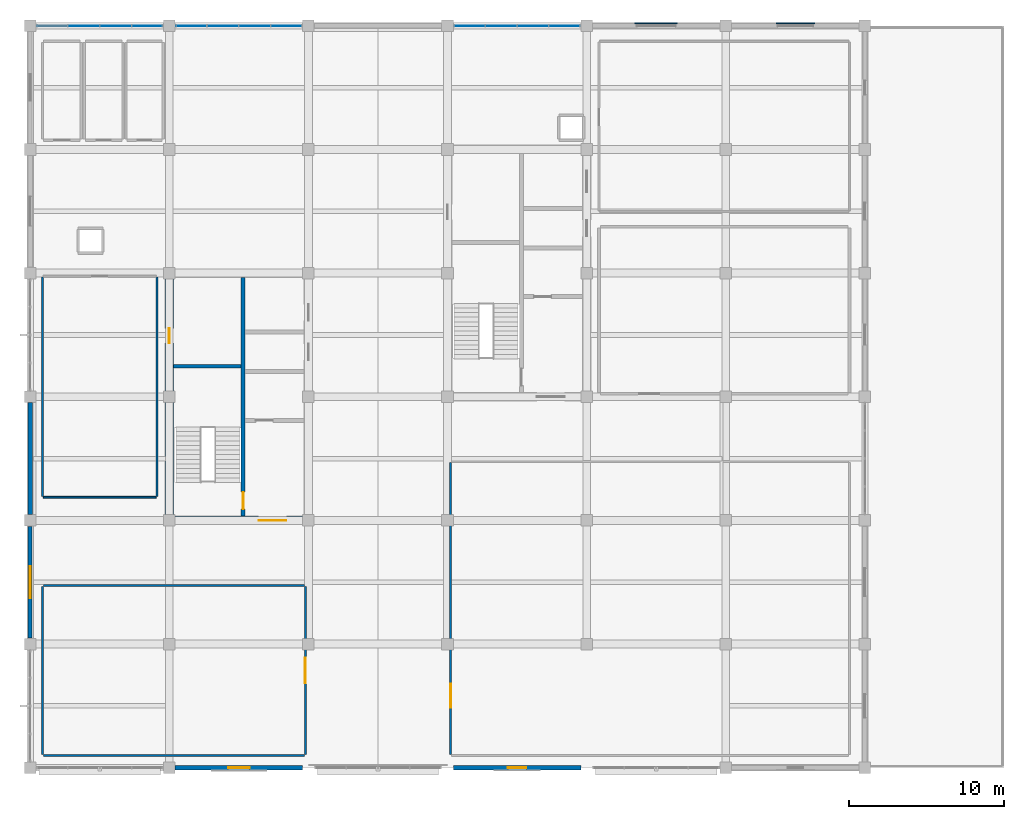
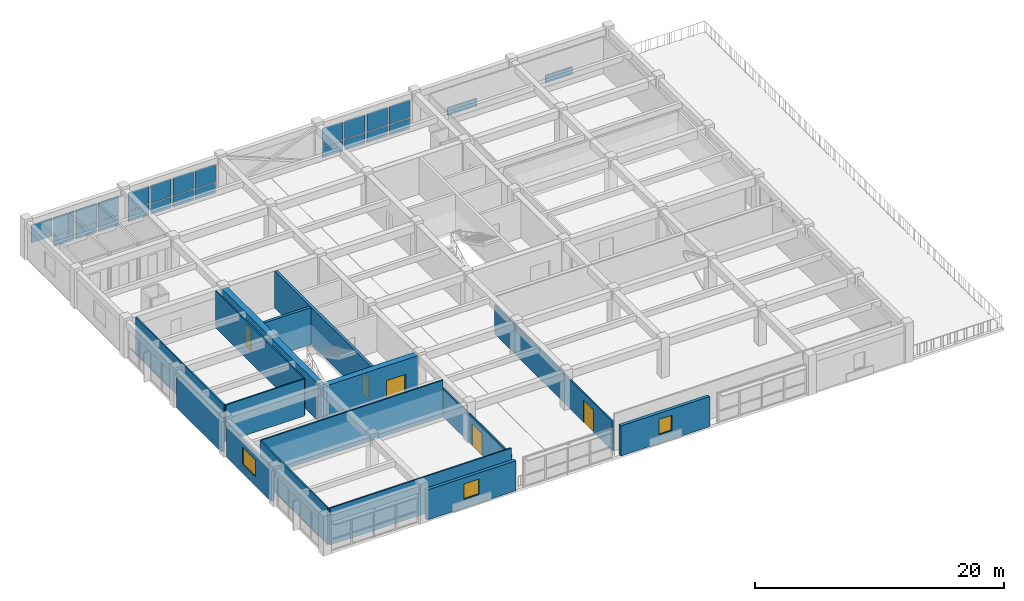
# One storey, part 11 of 15: 25 plates, 16 walls, 5 doors, 3 windows, 8 openings, 3 elements without a shape of their own.
"""IFC4 building model written with IfcOpenShell, lengths in metres."""

import ifcopenshell
import ifcopenshell.guid

model = None  # the IFC model being written
_history = None  # IfcOwnerHistory: only IFC2X3 demands one
_inside = {}  # id of a spatial element -> (the spatial element, [elements in it])
_under = {}  # id of a project, library or spatial element -> (it, [spatial elements below it])
_declared = {}  # id of a project -> (the project, [libraries it declares])
_typed = {}  # id of a type object -> (the type object, [elements of that type])
_made_of = {}  # id of a material, layer set ... -> (it, [elements and type objects made of it])


def new_model(schema):
    """Start an empty IFC model of exactly this schema.

    Asked for "IFC4X3", IfcOpenShell would pick the latest addendum, in which some entities
    have other attributes; the version numbers below select the first issue.
    IFC2X3 requires an IfcOwnerHistory on every rooted entity: one is made here for all.
    """
    global model, _history
    if schema == "IFC4X3":
        model = ifcopenshell.file(schema_version=(4, 3, 0, 0))
    else:
        model = ifcopenshell.file(schema=schema)
    _inside.clear()
    _under.clear()
    _declared.clear()
    _typed.clear()
    _made_of.clear()
    _history = None
    if model.schema == "IFC2X3":
        org = make("IfcOrganization", Name="unknown")
        user = make(
            "IfcPersonAndOrganization",
            ThePerson=make("IfcPerson", FamilyName="unknown"),
            TheOrganization=org,
        )
        app = make(
            "IfcApplication",
            ApplicationDeveloper=org,
            Version="unknown",
            ApplicationFullName="unknown",
            ApplicationIdentifier="unknown",
        )
        _history = make(
            "IfcOwnerHistory",
            OwningUser=user,
            OwningApplication=app,
            ChangeAction="ADDED",
            CreationDate=0,
        )
    return model


def make(cls, **values):
    """One entity of the class cls with the attributes given. An attribute that is None is left unset."""
    return model.create_entity(
        cls, **{name: value for name, value in values.items() if value is not None}
    )


def rooted(cls, **values):
    """An entity with a GlobalId (a new one), such as an element, a storey or a relation."""
    return make(cls, GlobalId=ifcopenshell.guid.new(), OwnerHistory=_history, **values)


def si_unit(unit_type, name, prefix=None):
    """IfcSIUnit, for example si_unit("LENGTHUNIT", "METRE", prefix="MILLI")."""
    return make("IfcSIUnit", UnitType=unit_type, Prefix=prefix, Name=name)


def assignment(units):
    """IfcUnitAssignment: the units of a project."""
    return None if units is None else make("IfcUnitAssignment", Units=units)


def point(xyz):
    """IfcCartesianPoint."""
    return None if xyz is None else make("IfcCartesianPoint", Coordinates=xyz)


def direction(xyz):
    """IfcDirection."""
    return None if xyz is None else make("IfcDirection", DirectionRatios=xyz)


def frame(location, z_axis=None, x_axis=None):
    """IfcAxis2Placement3D, a coordinate frame: its origin and axes. An axis left out is left unset."""
    return make(
        "IfcAxis2Placement3D",
        Location=point(location),
        Axis=direction(z_axis),
        RefDirection=direction(x_axis),
    )


def frame_2d(location, x_axis=None):
    """IfcAxis2Placement2D, a coordinate frame in the plane: its origin and x axis."""
    return make(
        "IfcAxis2Placement2D", Location=point(location), RefDirection=direction(x_axis)
    )


def origin():
    """The frame at (0, 0, 0) with its axes left unset."""
    return frame((0.0, 0.0, 0.0))


def place(relative_to, where):
    """IfcLocalPlacement: puts the frame where relative to a parent placement (None: the world)."""
    return make(
        "IfcLocalPlacement", PlacementRelTo=relative_to, RelativePlacement=where
    )


def context(
    kind, dimensions, precision=None, world=None, true_north=None, identifier=None
):
    """IfcGeometricRepresentationContext, for example the 3D "Model" context."""
    return make(
        "IfcGeometricRepresentationContext",
        ContextIdentifier=identifier,
        ContextType=kind,
        CoordinateSpaceDimension=dimensions,
        Precision=precision,
        WorldCoordinateSystem=world,
        TrueNorth=true_north,
    )


def subcontext(parent, identifier, kind, view, scale=None):
    """IfcGeometricRepresentationSubContext, for example "Body" below "Model"."""
    return make(
        "IfcGeometricRepresentationSubContext",
        ContextIdentifier=identifier,
        ContextType=kind,
        ParentContext=parent,
        TargetScale=scale,
        TargetView=view,
    )


def project(units=None, contexts=None):
    """IfcProject with its units and contexts."""
    return rooted(
        "IfcProject",
        Name="project",
        RepresentationContexts=contexts,
        UnitsInContext=assignment(units),
    )


def spatial(cls, under=None, at=None, **own):
    """A site, building, storey or space (cls), placed at a placement, below another one or the project."""
    s = rooted(cls, ObjectPlacement=at, **own)
    if under is not None:
        _under.setdefault(under.id(), (under, []))[1].append(s)
    return s


def profile(cls, at=None, kind="AREA", **sizes):
    """A parametric profile (cls). Its sizes go by their IFC names, for example OverallWidth=200.0."""
    return make(cls, ProfileType=kind, Position=at, **sizes)


def rectangle(**sizes):
    """IfcRectangleProfileDef."""
    return profile("IfcRectangleProfileDef", **sizes)


def extrude(swept, where, along, depth):
    """IfcExtrudedAreaSolid: the profile swept, set in the frame where, extruded along a direction by depth."""
    return make(
        "IfcExtrudedAreaSolid",
        SweptArea=swept,
        Position=where,
        ExtrudedDirection=direction(along),
        Depth=depth,
    )


def shape(context_of_items, identifier, shape_type, items):
    """IfcShapeRepresentation: the items that make up one representation, for example the "Body"."""
    return make(
        "IfcShapeRepresentation",
        ContextOfItems=context_of_items,
        RepresentationIdentifier=identifier,
        RepresentationType=shape_type,
        Items=items,
    )


def material(Name=None, Category=None):
    """IfcMaterial."""
    return make("IfcMaterial", Name=Name, Category=Category)


def layer(
    of_material, thickness, ventilated=None, Name=None, Category=None, Priority=None
):
    """IfcMaterialLayer: one layer of a wall or slab, of a material (None: an air gap)."""
    return make(
        "IfcMaterialLayer",
        Material=of_material,
        LayerThickness=thickness,
        IsVentilated=ventilated,
        Name=Name,
        Category=Category,
        Priority=Priority,
    )


def layer_set(layers, Name=None):
    """IfcMaterialLayerSet."""
    return make("IfcMaterialLayerSet", MaterialLayers=layers, LayerSetName=Name)


def made_of(thing, what):
    """Note that an element or type object is made of a material, layer set ...; save() writes the relation."""
    if what is not None:
        _made_of.setdefault(what.id(), (what, []))[1].append(thing)
    return thing


def type_object(cls, material=None, **own):
    """A type object (cls), such as IfcWallType, which elements share."""
    return made_of(rooted(cls, **own), material)


def element(
    cls,
    number,
    at=None,
    inside=None,
    cuts=None,
    type_object=None,
    material=None,
    context=None,
    identifier="Body",
    shape_type=None,
    held_by="IfcProductDefinitionShape",
    body=None,
    shapes=None,
    **own,
):
    """One element of the class cls, such as IfcWall. Its Tag is "e" and its number.

    at: its placement. inside: the storey or other place that contains it. cuts: it is an
    opening in that element (IfcRelVoidsElement). A single representation is given by context,
    identifier, shape_type and body (its items); several are given by shapes. held_by: the class
    of the entity that holds the representations. save() writes the other relations.
    """
    e = rooted(cls, Tag="e%d" % number, ObjectPlacement=at, **own)
    if body is not None:
        shapes = [shape(context, identifier, shape_type, body)]
    if shapes is not None:
        e.Representation = make(held_by, Representations=shapes)
    if inside is not None:
        _inside.setdefault(inside.id(), (inside, []))[1].append(e)
    if cuts is not None:
        rooted(
            "IfcRelVoidsElement", RelatingBuildingElement=cuts, RelatedOpeningElement=e
        )
    if type_object is not None:
        _typed.setdefault(type_object.id(), (type_object, []))[1].append(e)
    return made_of(e, material)


def fill(opening, filler):
    """IfcRelFillsElement: the door or window that sits in an opening."""
    return rooted(
        "IfcRelFillsElement",
        RelatingOpeningElement=opening,
        RelatedBuildingElement=filler,
    )


def aggregate(whole, parts):
    """IfcRelAggregates: a whole, such as a stair, and the parts it consists of."""
    return rooted("IfcRelAggregates", RelatingObject=whole, RelatedObjects=parts)


def save(model, path):
    """Write the relations noted so far, then the file.

    IfcRelAggregates (storeys below a building ...), IfcRelContainedInSpatialStructure (elements
    in a storey), IfcRelDefinesByType, IfcRelAssociatesMaterial and IfcRelDeclares: one each for
    every whole, place, type object, material and project.
    """
    for whole, parts in _under.values():
        aggregate(whole, parts)
    for where, things in _inside.values():
        rooted(
            "IfcRelContainedInSpatialStructure",
            RelatedElements=things,
            RelatingStructure=where,
        )
    for kind, things in _typed.values():
        rooted("IfcRelDefinesByType", RelatedObjects=things, RelatingType=kind)
    for what, things in _made_of.values():
        rooted("IfcRelAssociatesMaterial", RelatedObjects=things, RelatingMaterial=what)
    for by, libraries in _declared.values():
        rooted("IfcRelDeclares", RelatingContext=by, RelatedDefinitions=libraries)
    model.write(path)


model = new_model("IFC4")

# Units and contexts
model_context = context("Model", 3, precision=1e-05, world=origin(), true_north=direction((0.0, 1.0)))
body_context = subcontext(model_context, "Body", "Model", "MODEL_VIEW")
ifc_project = project(units=[si_unit("LENGTHUNIT", "METRE"), si_unit("AREAUNIT", "SQUARE_METRE"), si_unit("VOLUMEUNIT", "CUBIC_METRE"), si_unit("PLANEANGLEUNIT", "RADIAN"), si_unit("MASSUNIT", "GRAM", prefix="KILO")], contexts=[model_context])

# Site, building, storey
site_placement = place(None, origin())
site = spatial("IfcSite", under=ifc_project, at=site_placement, CompositionType="ELEMENT")
building_placement = place(site_placement, origin())
building = spatial("IfcBuilding", under=site, at=building_placement, Name="Zaverband Oceanarium and Marine Research Institute", CompositionType="ELEMENT")
storey_placement = place(building_placement, frame((0.0, 0.0, 45.300048828125)))
storey = spatial("IfcBuildingStorey", under=building, at=storey_placement, Name="L11", CompositionType="ELEMENT", Elevation=45.300048828125)

# Curtain wall, plates
ifc_material_1 = material(Name="Thermally broken anodized aluminium and solar-control glass", Category="aluminium")
curtain_wall_type = type_object("IfcCurtainWallType", Name="CW-UNIT-1800", PredefinedType="NOTDEFINED", material=ifc_material_1)
curtain_wall_1_placement = place(storey_placement, origin())
curtain_wall_1 = element("IfcCurtainWall", 1, at=curtain_wall_1_placement, inside=storey, type_object=curtain_wall_type, Name="Unitised glazed curtain wall CW-124", PredefinedType="NOTDEFINED")
ifc_material_2 = material(Name="Low-E double-glazed solar-control glass", Category="glass")
ifc_layer_1 = layer(ifc_material_2, 0.033935546875, Name="Low-E double-glazed solar-control glass")
ifc_layer_set_1 = layer_set([ifc_layer_1], Name="Low-E double-glazed solar-control glass")
plate_type_1 = type_object("IfcPlateType", Name="CWP-1820x1043", PredefinedType="CURTAIN_PANEL", material=ifc_layer_set_1)
plate_1_placement = place(storey_placement, frame((11.52001953125, 112.0, 0.050048828125), z_axis=(0.0, 0.0, 1.0), x_axis=(1.0, 0.0, 0.0)))
plate_1 = element("IfcPlate", 2, at=plate_1_placement, type_object=plate_type_1, Name="Glazed curtain wall panel CWP-1820x1043", PredefinedType="CURTAIN_PANEL", context=body_context, shape_type="SweptSolid", body=[
    extrude(rectangle(XDim=1.89990234375, YDim=0.033935546875, at=frame_2d((0.949951171875, 0.0))), origin(), (0.0, 0.0, 1.0), 1.031982421875),
])
plate_2_placement = place(storey_placement, frame((13.580078125, 112.0, 0.050048828125), z_axis=(0.0, 0.0, 1.0), x_axis=(1.0, 0.0, 0.0)))
plate_2 = element("IfcPlate", 3, at=plate_2_placement, type_object=plate_type_1, Name="Glazed curtain wall panel CWP-1820x1043", PredefinedType="CURTAIN_PANEL", context=body_context, shape_type="SweptSolid", body=[
    extrude(rectangle(XDim=1.89990234375, YDim=0.033935546875, at=frame_2d((0.949951171875, 0.0))), origin(), (0.0, 0.0, 1.0), 1.031982421875),
])
plate_3_placement = place(storey_placement, frame((15.639892578125, 112.0, 0.050048828125), z_axis=(0.0, 0.0, 1.0), x_axis=(1.0, 0.0, 0.0)))
plate_3 = element("IfcPlate", 4, at=plate_3_placement, type_object=plate_type_1, Name="Glazed curtain wall panel CWP-1820x1043", PredefinedType="CURTAIN_PANEL", context=body_context, shape_type="SweptSolid", body=[
    extrude(rectangle(XDim=1.900146484375, YDim=0.033935546875, at=frame_2d((0.9501953125, 0.0))), origin(), (0.0, 0.0, 1.0), 1.031982421875),
])

curtain_wall_2_placement = place(storey_placement, origin())
curtain_wall_2 = element("IfcCurtainWall", 5, at=curtain_wall_2_placement, inside=storey, type_object=curtain_wall_type, Name="Unitised glazed curtain wall CW-125", PredefinedType="NOTDEFINED")
plate_4_placement = place(storey_placement, frame((18.4599609375, 112.0, 0.050048828125), z_axis=(0.0, 0.0, 1.0), x_axis=(1.0, 0.0, 0.0)))
plate_4 = element("IfcPlate", 6, at=plate_4_placement, type_object=plate_type_1, Name="Glazed curtain wall panel CWP-1820x1043", PredefinedType="CURTAIN_PANEL", context=body_context, shape_type="SweptSolid", body=[
    extrude(rectangle(XDim=1.900146484375, YDim=0.033935546875, at=frame_2d((0.9501953125, 0.0))), origin(), (0.0, 0.0, 1.0), 1.031982421875),
])
plate_5_placement = place(storey_placement, frame((20.52001953125, 112.0, 0.050048828125), z_axis=(0.0, 0.0, 1.0), x_axis=(1.0, 0.0, 0.0)))
plate_5 = element("IfcPlate", 7, at=plate_5_placement, type_object=plate_type_1, Name="Glazed curtain wall panel CWP-1820x1043", PredefinedType="CURTAIN_PANEL", context=body_context, shape_type="SweptSolid", body=[
    extrude(rectangle(XDim=1.89990234375, YDim=0.033935546875, at=frame_2d((0.949951171875, 0.0))), origin(), (0.0, 0.0, 1.0), 1.031982421875),
])
plate_6_placement = place(storey_placement, frame((22.580078125, 112.0, 0.050048828125), z_axis=(0.0, 0.0, 1.0), x_axis=(1.0, 0.0, 0.0)))
plate_6 = element("IfcPlate", 8, at=plate_6_placement, type_object=plate_type_1, Name="Glazed curtain wall panel CWP-1820x1043", PredefinedType="CURTAIN_PANEL", context=body_context, shape_type="SweptSolid", body=[
    extrude(rectangle(XDim=1.89990234375, YDim=0.033935546875, at=frame_2d((0.949951171875, 0.0))), origin(), (0.0, 0.0, 1.0), 1.031982421875),
])
plate_7_placement = place(storey_placement, frame((24.639892578125, 112.0, 0.050048828125), z_axis=(0.0, 0.0, 1.0), x_axis=(1.0, 0.0, 0.0)))
plate_7 = element("IfcPlate", 9, at=plate_7_placement, type_object=plate_type_1, Name="Glazed curtain wall panel CWP-1820x1043", PredefinedType="CURTAIN_PANEL", context=body_context, shape_type="SweptSolid", body=[
    extrude(rectangle(XDim=1.900146484375, YDim=0.033935546875, at=frame_2d((0.9501953125, 0.0))), origin(), (0.0, 0.0, 1.0), 1.031982421875),
])

curtain_wall_3_placement = place(storey_placement, origin())
curtain_wall_3 = element("IfcCurtainWall", 10, at=curtain_wall_3_placement, inside=storey, type_object=curtain_wall_type, Name="Unitised glazed curtain wall CW-126", PredefinedType="NOTDEFINED")
plate_8_placement = place(storey_placement, frame((36.4599609375, 112.0, 0.050048828125), z_axis=(0.0, 0.0, 1.0), x_axis=(1.0, 0.0, 0.0)))
plate_8 = element("IfcPlate", 11, at=plate_8_placement, type_object=plate_type_1, Name="Glazed curtain wall panel CWP-1820x1043", PredefinedType="CURTAIN_PANEL", context=body_context, shape_type="SweptSolid", body=[
    extrude(rectangle(XDim=1.900146484375, YDim=0.033935546875, at=frame_2d((0.9501953125, 0.0))), origin(), (0.0, 0.0, 1.0), 1.031982421875),
])
plate_9_placement = place(storey_placement, frame((38.52001953125, 112.0, 0.050048828125), z_axis=(0.0, 0.0, 1.0), x_axis=(1.0, 0.0, 0.0)))
plate_9 = element("IfcPlate", 12, at=plate_9_placement, type_object=plate_type_1, Name="Glazed curtain wall panel CWP-1820x1043", PredefinedType="CURTAIN_PANEL", context=body_context, shape_type="SweptSolid", body=[
    extrude(rectangle(XDim=1.89990234375, YDim=0.033935546875, at=frame_2d((0.949951171875, 0.0))), origin(), (0.0, 0.0, 1.0), 1.031982421875),
])
plate_10_placement = place(storey_placement, frame((40.580078125, 112.0, 0.050048828125), z_axis=(0.0, 0.0, 1.0), x_axis=(1.0, 0.0, 0.0)))
plate_10 = element("IfcPlate", 13, at=plate_10_placement, type_object=plate_type_1, Name="Glazed curtain wall panel CWP-1820x1043", PredefinedType="CURTAIN_PANEL", context=body_context, shape_type="SweptSolid", body=[
    extrude(rectangle(XDim=1.89990234375, YDim=0.033935546875, at=frame_2d((0.949951171875, 0.0))), origin(), (0.0, 0.0, 1.0), 1.031982421875),
])
plate_11_placement = place(storey_placement, frame((42.639892578125, 112.0, 0.050048828125), z_axis=(0.0, 0.0, 1.0), x_axis=(1.0, 0.0, 0.0)))
plate_11 = element("IfcPlate", 14, at=plate_11_placement, type_object=plate_type_1, Name="Glazed curtain wall panel CWP-1820x1043", PredefinedType="CURTAIN_PANEL", context=body_context, shape_type="SweptSolid", body=[
    extrude(rectangle(XDim=1.900146484375, YDim=0.033935546875, at=frame_2d((0.9501953125, 0.0))), origin(), (0.0, 0.0, 1.0), 1.031982421875),
])

# Plate
ifc_layer_2 = layer(ifc_material_2, 0.035888671875, Name="Low-E double-glazed solar-control glass")
ifc_layer_set_2 = layer_set([ifc_layer_2], Name="Low-E double-glazed solar-control glass")
plate_type_2 = type_object("IfcPlateType", Name="CWP-1820x1777", PredefinedType="CURTAIN_PANEL", material=ifc_layer_set_2)
plate_12_placement = place(storey_placement, frame((9.4599609375, 112.0, 1.15185546875), z_axis=(0.0, 0.0, 1.0), x_axis=(1.0, 0.0, 0.0)))
plate_12 = element("IfcPlate", 15, at=plate_12_placement, type_object=plate_type_2, Name="Glazed curtain wall panel CWP-1820x1777", PredefinedType="CURTAIN_PANEL", context=body_context, shape_type="SweptSolid", body=[
    extrude(rectangle(XDim=1.900146484375, YDim=0.035888671875, at=frame_2d((0.9501953125, 0.0))), origin(), (0.0, 0.0, 1.0), 1.758056640625),
])

plate_13_placement = place(storey_placement, frame((11.52001953125, 112.0, 1.15185546875), z_axis=(0.0, 0.0, 1.0), x_axis=(1.0, 0.0, 0.0)))
plate_13 = element("IfcPlate", 16, at=plate_13_placement, type_object=plate_type_2, Name="Glazed curtain wall panel CWP-1820x1777", PredefinedType="CURTAIN_PANEL", context=body_context, shape_type="SweptSolid", body=[
    extrude(rectangle(XDim=1.89990234375, YDim=0.035888671875, at=frame_2d((0.949951171875, 0.0))), origin(), (0.0, 0.0, 1.0), 1.758056640625),
])

plate_14_placement = place(storey_placement, frame((13.580078125, 112.0, 1.15185546875), z_axis=(0.0, 0.0, 1.0), x_axis=(1.0, 0.0, 0.0)))
plate_14 = element("IfcPlate", 17, at=plate_14_placement, type_object=plate_type_2, Name="Glazed curtain wall panel CWP-1820x1777", PredefinedType="CURTAIN_PANEL", context=body_context, shape_type="SweptSolid", body=[
    extrude(rectangle(XDim=1.89990234375, YDim=0.035888671875, at=frame_2d((0.949951171875, 0.0))), origin(), (0.0, 0.0, 1.0), 1.758056640625),
])

plate_15_placement = place(storey_placement, frame((15.639892578125, 112.0, 1.15185546875), z_axis=(0.0, 0.0, 1.0), x_axis=(1.0, 0.0, 0.0)))
plate_15 = element("IfcPlate", 18, at=plate_15_placement, type_object=plate_type_2, Name="Glazed curtain wall panel CWP-1820x1777", PredefinedType="CURTAIN_PANEL", context=body_context, shape_type="SweptSolid", body=[
    extrude(rectangle(XDim=1.900146484375, YDim=0.035888671875, at=frame_2d((0.9501953125, 0.0))), origin(), (0.0, 0.0, 1.0), 1.758056640625),
])

aggregate(curtain_wall_1, [plate_12, plate_1, plate_13, plate_2, plate_14, plate_3, plate_15])

plate_16_placement = place(storey_placement, frame((18.4599609375, 112.0, 1.15185546875), z_axis=(0.0, 0.0, 1.0), x_axis=(1.0, 0.0, 0.0)))
plate_16 = element("IfcPlate", 19, at=plate_16_placement, type_object=plate_type_2, Name="Glazed curtain wall panel CWP-1820x1777", PredefinedType="CURTAIN_PANEL", context=body_context, shape_type="SweptSolid", body=[
    extrude(rectangle(XDim=1.900146484375, YDim=0.035888671875, at=frame_2d((0.9501953125, 0.0))), origin(), (0.0, 0.0, 1.0), 1.758056640625),
])

plate_17_placement = place(storey_placement, frame((20.52001953125, 112.0, 1.15185546875), z_axis=(0.0, 0.0, 1.0), x_axis=(1.0, 0.0, 0.0)))
plate_17 = element("IfcPlate", 20, at=plate_17_placement, type_object=plate_type_2, Name="Glazed curtain wall panel CWP-1820x1777", PredefinedType="CURTAIN_PANEL", context=body_context, shape_type="SweptSolid", body=[
    extrude(rectangle(XDim=1.89990234375, YDim=0.035888671875, at=frame_2d((0.949951171875, 0.0))), origin(), (0.0, 0.0, 1.0), 1.758056640625),
])

plate_18_placement = place(storey_placement, frame((22.580078125, 112.0, 1.15185546875), z_axis=(0.0, 0.0, 1.0), x_axis=(1.0, 0.0, 0.0)))
plate_18 = element("IfcPlate", 21, at=plate_18_placement, type_object=plate_type_2, Name="Glazed curtain wall panel CWP-1820x1777", PredefinedType="CURTAIN_PANEL", context=body_context, shape_type="SweptSolid", body=[
    extrude(rectangle(XDim=1.89990234375, YDim=0.035888671875, at=frame_2d((0.949951171875, 0.0))), origin(), (0.0, 0.0, 1.0), 1.758056640625),
])

plate_19_placement = place(storey_placement, frame((24.639892578125, 112.0, 1.15185546875), z_axis=(0.0, 0.0, 1.0), x_axis=(1.0, 0.0, 0.0)))
plate_19 = element("IfcPlate", 22, at=plate_19_placement, type_object=plate_type_2, Name="Glazed curtain wall panel CWP-1820x1777", PredefinedType="CURTAIN_PANEL", context=body_context, shape_type="SweptSolid", body=[
    extrude(rectangle(XDim=1.900146484375, YDim=0.035888671875, at=frame_2d((0.9501953125, 0.0))), origin(), (0.0, 0.0, 1.0), 1.758056640625),
])

aggregate(curtain_wall_2, [plate_4, plate_16, plate_5, plate_17, plate_6, plate_18, plate_7, plate_19])

plate_20_placement = place(storey_placement, frame((36.4599609375, 112.0, 1.15185546875), z_axis=(0.0, 0.0, 1.0), x_axis=(1.0, 0.0, 0.0)))
plate_20 = element("IfcPlate", 23, at=plate_20_placement, type_object=plate_type_2, Name="Glazed curtain wall panel CWP-1820x1777", PredefinedType="CURTAIN_PANEL", context=body_context, shape_type="SweptSolid", body=[
    extrude(rectangle(XDim=1.900146484375, YDim=0.035888671875, at=frame_2d((0.9501953125, 0.0))), origin(), (0.0, 0.0, 1.0), 1.758056640625),
])

plate_21_placement = place(storey_placement, frame((38.52001953125, 112.0, 1.15185546875), z_axis=(0.0, 0.0, 1.0), x_axis=(1.0, 0.0, 0.0)))
plate_21 = element("IfcPlate", 24, at=plate_21_placement, type_object=plate_type_2, Name="Glazed curtain wall panel CWP-1820x1777", PredefinedType="CURTAIN_PANEL", context=body_context, shape_type="SweptSolid", body=[
    extrude(rectangle(XDim=1.89990234375, YDim=0.035888671875, at=frame_2d((0.949951171875, 0.0))), origin(), (0.0, 0.0, 1.0), 1.758056640625),
])

plate_22_placement = place(storey_placement, frame((40.580078125, 112.0, 1.15185546875), z_axis=(0.0, 0.0, 1.0), x_axis=(1.0, 0.0, 0.0)))
plate_22 = element("IfcPlate", 25, at=plate_22_placement, type_object=plate_type_2, Name="Glazed curtain wall panel CWP-1820x1777", PredefinedType="CURTAIN_PANEL", context=body_context, shape_type="SweptSolid", body=[
    extrude(rectangle(XDim=1.89990234375, YDim=0.035888671875, at=frame_2d((0.949951171875, 0.0))), origin(), (0.0, 0.0, 1.0), 1.758056640625),
])

plate_23_placement = place(storey_placement, frame((42.639892578125, 112.0, 1.15185546875), z_axis=(0.0, 0.0, 1.0), x_axis=(1.0, 0.0, 0.0)))
plate_23 = element("IfcPlate", 26, at=plate_23_placement, type_object=plate_type_2, Name="Glazed curtain wall panel CWP-1820x1777", PredefinedType="CURTAIN_PANEL", context=body_context, shape_type="SweptSolid", body=[
    extrude(rectangle(XDim=1.900146484375, YDim=0.035888671875, at=frame_2d((0.9501953125, 0.0))), origin(), (0.0, 0.0, 1.0), 1.758056640625),
])

aggregate(curtain_wall_3, [plate_8, plate_20, plate_9, plate_21, plate_10, plate_22, plate_11, plate_23])

# Plates
ifc_material_3 = material(Name="Concrete C40/50 precast ochre", Category="concrete")
ifc_layer_3 = layer(ifc_material_3, 0.074951171875, Name="Concrete C40/50 precast ochre")
ifc_layer_set_3 = layer_set([ifc_layer_3], Name="Concrete C40/50 precast ochre")
plate_type_3 = type_object("IfcPlateType", Name="FRP-2500x750", PredefinedType="USERDEFINED", material=ifc_layer_set_3)
plate_24_placement = place(storey_placement, frame((57.25, 112.16748046875, 0.0), z_axis=(0.0, 0.0, 1.0), x_axis=(1.0, 0.0, 0.0)))
element("IfcPlate", 27, at=plate_24_placement, inside=storey, type_object=plate_type_3, Name="Geometric precast facade cladding panel FRP-2500x750", ObjectType="FLANGE_PLATE", PredefinedType="USERDEFINED", context=body_context, shape_type="SweptSolid", body=[
    extrude(rectangle(XDim=2.5, YDim=0.074951171875, at=frame_2d((1.25, 0.0))), origin(), (0.0, 0.0, 1.0), 0.75),
])
ifc_layer_4 = layer(ifc_material_3, 0.080078125, Name="Concrete C40/50 precast ochre")
ifc_layer_set_4 = layer_set([ifc_layer_4], Name="Concrete C40/50 precast ochre")
plate_type_4 = type_object("IfcPlateType", Name="FRP-2750x760", PredefinedType="USERDEFINED", material=ifc_layer_set_4)
plate_25_placement = place(storey_placement, frame((48.125, 112.157470703125, 0.0), z_axis=(0.0, 0.0, 1.0), x_axis=(1.0, 0.0, 0.0)))
element("IfcPlate", 28, at=plate_25_placement, inside=storey, type_object=plate_type_4, Name="Geometric precast facade cladding panel FRP-2750x760", ObjectType="FLANGE_PLATE", PredefinedType="USERDEFINED", context=body_context, shape_type="SweptSolid", body=[
    extrude(rectangle(XDim=2.75, YDim=0.080078125, at=frame_2d((1.375, 0.0))), origin(), (0.0, 0.0, 1.0), 0.760009765625),
])

# Wall, opening, door
ifc_material_4 = material(Name="Concrete C50/60", Category="concrete")
ifc_layer_5 = layer(ifc_material_4, 0.550048828125, Name="Concrete C50/60")
ifc_layer_set_5 = layer_set([ifc_layer_5], Name="Concrete C50/60")
wall_type_1 = type_object("IfcWallType", Name="CW-01", PredefinedType="SHEAR", material=ifc_layer_set_5)
wall_1_placement = place(storey_placement, frame((18.27490234375, 80.0, 0.0), z_axis=(0.0, 0.0, 1.0), x_axis=(1.0, 0.0, 0.0)))
wall_1 = element("IfcWall", 29, at=wall_1_placement, inside=storey, type_object=wall_type_1, Name="Structural shear wall CW-01", PredefinedType="SHEAR", context=body_context, shape_type="SweptSolid", body=[
    extrude(rectangle(XDim=8.4501953125, YDim=0.550048828125, at=frame_2d((4.22509765625, 0.0))), origin(), (0.0, 0.0, 1.0), 3.619873046875),
])
opening_1_placement = place(wall_1_placement, frame((5.5, 0.0, 0.0)))
opening_1 = element("IfcOpeningElement", 30, at=opening_1_placement, cuts=wall_1, Name="Opening FD-02", PredefinedType="OPENING", context=body_context, shape_type="SweptSolid", body=[
    extrude(rectangle(XDim=1.800048828125, YDim=2.179931640625, at=frame_2d((0.89990234375, 1.08984375))), frame((0.0, 0.287109375, 0.0), z_axis=(0.0, -1.0, 0.0), x_axis=(1.0, 0.0, 0.0)), (0.0, 0.0, 1.0), 0.573974609375),
])
ifc_material_5 = material(Name="Steel S355", Category="steel")
door_type_1 = type_object("IfcDoorType", Name="FD-02", OperationType="DOUBLE_DOOR_SINGLE_SWING", PredefinedType="DOOR", material=ifc_material_5)
door_1_placement = place(opening_1_placement, origin())
door_1 = element("IfcDoor", 31, at=door_1_placement, inside=storey, type_object=door_type_1, Name="Protected lobby double fire door FD-02", OperationType="DOUBLE_DOOR_SINGLE_SWING", OverallHeight=2.179931640625, OverallWidth=1.800048828125, PredefinedType="DOOR", context=body_context, shape_type="SweptSolid", body=[
    extrude(rectangle(XDim=1.800048828125, YDim=2.179931640625, at=frame_2d((0.89990234375, 1.08984375))), frame((0.0, 0.02490234375, 0.0), z_axis=(0.0, -1.0, 0.0), x_axis=(1.0, 0.0, 0.0)), (0.0, 0.0, 1.0), 0.050048828125),
])
fill(opening_1, door_1)

wall_2_placement = place(storey_placement, frame((18.0, 80.27490234375, 0.0), z_axis=(0.0, 0.0, 1.0), x_axis=(0.0, 1.0, 0.0)))
wall_2 = element("IfcWall", 32, at=wall_2_placement, inside=storey, type_object=wall_type_1, Name="Structural shear wall CW-01", PredefinedType="SHEAR", context=body_context, shape_type="SweptSolid", body=[
    extrude(rectangle(XDim=15.4501953125, YDim=0.550048828125, at=frame_2d((7.72509765625, 0.0))), origin(), (0.0, 0.0, 1.0), 3.619873046875),
])
opening_2_placement = place(wall_2_placement, frame((11.199951171875, 0.0, 0.0)))
opening_2 = element("IfcOpeningElement", 33, at=opening_2_placement, cuts=wall_2, Name="Opening FD-03", PredefinedType="OPENING", context=body_context, shape_type="SweptSolid", body=[
    extrude(rectangle(XDim=0.949951171875, YDim=2.10009765625, at=frame_2d((0.47509765625, 1.050048828125))), frame((0.0, 0.287109375, 0.0), z_axis=(0.0, -1.0, 0.0), x_axis=(1.0, 0.0, 0.0)), (0.0, 0.0, 1.0), 0.573974609375),
])
door_type_2 = type_object("IfcDoorType", Name="FD-03", OperationType="NOTDEFINED", PredefinedType="DOOR", material=ifc_material_5)
door_2_placement = place(opening_2_placement, origin())
door_2 = element("IfcDoor", 34, at=door_2_placement, inside=storey, type_object=door_type_2, Name="Service riser access fire door FD-03", OperationType="SINGLE_SWING_RIGHT", OverallHeight=2.10009765625, OverallWidth=0.949951171875, PredefinedType="DOOR", context=body_context, shape_type="SweptSolid", body=[
    extrude(rectangle(XDim=0.949951171875, YDim=2.10009765625, at=frame_2d((0.47509765625, 1.050048828125))), frame((0.0, 0.02490234375, 0.0), z_axis=(0.0, -1.0, 0.0), x_axis=(1.0, 0.0, 0.0)), (0.0, 0.0, 1.0), 0.050048828125),
])
fill(opening_2, door_2)

# Wall, opening, window
ifc_material_6 = material(Name="Concrete C40/50 precast", Category="concrete")
ifc_layer_6 = layer(ifc_material_6, 0.264892578125, Name="Concrete C40/50 precast")
ifc_layer_set_6 = layer_set([ifc_layer_6], Name="Concrete C40/50 precast")
wall_type_2 = type_object("IfcWallType", Name="EW-265", PredefinedType="STANDARD", material=ifc_layer_set_6)
wall_3_placement = place(storey_placement, frame((9.0, 72.3798828125, 0.0), z_axis=(0.0, 0.0, 1.0), x_axis=(0.0, 1.0, 0.0)))
wall_3 = element("IfcWall", 35, at=wall_3_placement, inside=storey, type_object=wall_type_2, Name="Exterior infill wall EW-265", PredefinedType="STANDARD", context=body_context, shape_type="SweptSolid", body=[
    extrude(rectangle(XDim=7.240234375, YDim=0.264892578125, at=frame_2d((3.6201171875, 0.0))), origin(), (0.0, 0.0, 1.0), 2.949951171875),
])
opening_3_placement = place(wall_3_placement, frame((2.570068359375, 0.0, 0.85009765625)))
opening_3 = element("IfcOpeningElement", 36, at=opening_3_placement, cuts=wall_3, Name="Opening WN-2100x1650", PredefinedType="OPENING", context=body_context, shape_type="SweptSolid", body=[
    extrude(rectangle(XDim=2.10009765625, YDim=1.64990234375, at=frame_2d((1.050048828125, 0.824951171875))), frame((0.0, 0.14453125, 0.0), z_axis=(0.0, -1.0, 0.0), x_axis=(1.0, 0.0, 0.0)), (0.0, 0.0, 1.0), 0.288818359375),
])
window_type_1 = type_object("IfcWindowType", Name="WN-2100x1650", PartitioningType="SINGLE_PANEL", PredefinedType="WINDOW", material=ifc_material_1)
window_1_placement = place(opening_3_placement, origin())
window_1 = element("IfcWindow", 37, at=window_1_placement, inside=storey, type_object=window_type_1, Name="Fixed / casement exterior window WN-2100x1650", OverallHeight=1.64990234375, OverallWidth=2.10009765625, PartitioningType="SINGLE_PANEL", PredefinedType="WINDOW", context=body_context, shape_type="SweptSolid", body=[
    extrude(rectangle(XDim=2.10009765625, YDim=1.64990234375, at=frame_2d((1.050048828125, 0.824951171875))), frame((0.0, 0.030029296875, 0.0), z_axis=(0.0, -1.0, 0.0), x_axis=(1.0, 0.0, 0.0)), (0.0, 0.0, 1.0), 0.06005859375),
])
fill(opening_3, window_1)

ifc_layer_7 = layer(ifc_material_6, 0.2900390625, Name="Concrete C40/50 precast")
ifc_layer_set_7 = layer_set([ifc_layer_7], Name="Concrete C40/50 precast")
wall_type_3 = type_object("IfcWallType", Name="EW-290", PredefinedType="STANDARD", material=ifc_layer_set_7)
wall_4_placement = place(storey_placement, frame((18.3798828125, 64.0, 0.0), z_axis=(0.0, 0.0, 1.0), x_axis=(1.0, 0.0, 0.0)))
wall_4 = element("IfcWall", 38, at=wall_4_placement, inside=storey, type_object=wall_type_3, Name="Exterior infill wall EW-290", PredefinedType="STANDARD", context=body_context, shape_type="SweptSolid", body=[
    extrude(rectangle(XDim=8.240234375, YDim=0.2900390625, at=frame_2d((4.1201171875, 0.0))), origin(), (0.0, 0.0, 1.0), 2.949951171875),
])
opening_4_placement = place(wall_4_placement, frame((3.419921875, 0.0, 0.85009765625)))
opening_4 = element("IfcOpeningElement", 39, at=opening_4_placement, cuts=wall_4, Name="Opening WN-1400x1500", PredefinedType="OPENING", context=body_context, shape_type="SweptSolid", body=[
    extrude(rectangle(XDim=1.39990234375, YDim=1.5, at=frame_2d((0.699951171875, 0.75))), frame((0.0, 0.156982421875, 0.0), z_axis=(0.0, -1.0, 0.0), x_axis=(1.0, 0.0, 0.0)), (0.0, 0.0, 1.0), 0.31396484375),
])
window_type_2 = type_object("IfcWindowType", Name="WN-1400x1500", PartitioningType="SINGLE_PANEL", PredefinedType="WINDOW", material=ifc_material_1)
window_2_placement = place(opening_4_placement, origin())
window_2 = element("IfcWindow", 40, at=window_2_placement, inside=storey, type_object=window_type_2, Name="Fixed / casement exterior window WN-1400x1500", OverallHeight=1.5, OverallWidth=1.39990234375, PartitioningType="SINGLE_PANEL", PredefinedType="WINDOW", context=body_context, shape_type="SweptSolid", body=[
    extrude(rectangle(XDim=1.39990234375, YDim=1.5, at=frame_2d((0.699951171875, 0.75))), frame((0.0, 0.030029296875, 0.0), z_axis=(0.0, -1.0, 0.0), x_axis=(1.0, 0.0, 0.0)), (0.0, 0.0, 1.0), 0.06005859375),
])
fill(opening_4, window_2)

wall_5_placement = place(storey_placement, frame((36.3798828125, 64.0, 0.0), z_axis=(0.0, 0.0, 1.0), x_axis=(1.0, 0.0, 0.0)))
wall_5 = element("IfcWall", 41, at=wall_5_placement, inside=storey, type_object=wall_type_3, Name="Exterior infill wall EW-290", PredefinedType="STANDARD", context=body_context, shape_type="SweptSolid", body=[
    extrude(rectangle(XDim=8.240234375, YDim=0.2900390625, at=frame_2d((4.1201171875, 0.0))), origin(), (0.0, 0.0, 1.0), 2.949951171875),
])
opening_5_placement = place(wall_5_placement, frame((3.52001953125, 0.0, 0.85009765625)))
opening_5 = element("IfcOpeningElement", 42, at=opening_5_placement, cuts=wall_5, Name="Opening WN-1200x1500", PredefinedType="OPENING", context=body_context, shape_type="SweptSolid", body=[
    extrude(rectangle(XDim=1.199951171875, YDim=1.5, at=frame_2d((0.60009765625, 0.75))), frame((0.0, 0.156982421875, 0.0), z_axis=(0.0, -1.0, 0.0), x_axis=(1.0, 0.0, 0.0)), (0.0, 0.0, 1.0), 0.31396484375),
])
window_type_3 = type_object("IfcWindowType", Name="WN-1200x1500", PartitioningType="SINGLE_PANEL", PredefinedType="WINDOW", material=ifc_material_1)
window_3_placement = place(opening_5_placement, origin())
window_3 = element("IfcWindow", 43, at=window_3_placement, inside=storey, type_object=window_type_3, Name="Fixed / casement exterior window WN-1200x1500", OverallHeight=1.5, OverallWidth=1.199951171875, PartitioningType="SINGLE_PANEL", PredefinedType="WINDOW", context=body_context, shape_type="SweptSolid", body=[
    extrude(rectangle(XDim=1.199951171875, YDim=1.5, at=frame_2d((0.60009765625, 0.75))), frame((0.0, 0.030029296875, 0.0), z_axis=(0.0, -1.0, 0.0), x_axis=(1.0, 0.0, 0.0)), (0.0, 0.0, 1.0), 0.06005859375),
])
fill(opening_5, window_3)

# Walls
wall_6_placement = place(storey_placement, frame((9.0, 80.3798828125, 0.0), z_axis=(0.0, 0.0, 1.0), x_axis=(0.0, 1.0, 0.0)))
element("IfcWall", 44, at=wall_6_placement, inside=storey, type_object=wall_type_3, Name="Exterior infill wall EW-290", PredefinedType="STANDARD", context=body_context, shape_type="SweptSolid", body=[
    extrude(rectangle(XDim=7.240234375, YDim=0.2900390625, at=frame_2d((3.6201171875, 0.0))), origin(), (0.0, 0.0, 1.0), 2.949951171875),
])
ifc_material_7 = material(Name="Insulated metal-stud office partition")
ifc_layer_8 = layer(ifc_material_7, 0.1201171875, Name="Insulated metal-stud office partition")
ifc_layer_set_8 = layer_set([ifc_layer_8], Name="Insulated metal-stud office partition")
wall_type_4 = type_object("IfcWallType", Name="PT-120-OF", PredefinedType="PARTITIONING", material=ifc_layer_set_8)
wall_7_placement = place(storey_placement, frame((9.860107421875, 81.5, 0.0), z_axis=(0.0, 0.0, 1.0), x_axis=(1.0, 0.0, 0.0)))
element("IfcWall", 45, at=wall_7_placement, inside=storey, type_object=wall_type_4, Name="Internal partition PT-120-OF", PredefinedType="PARTITIONING", context=body_context, shape_type="SweptSolid", body=[
    extrude(rectangle(XDim=7.27978515625, YDim=0.1201171875, at=frame_2d((3.639892578125, 0.0))), origin(), (0.0, 0.0, 1.0), 3.619873046875),
])
for number, where, z_axis, x_axis, name in (
    (46, (9.800048828125, 81.56005859375, 0.0), (0.0, 0.0, 1.0), (0.0, 1.0, 0.0), "Internal partition PT-120-OF"),
    (47, (17.199951171875, 81.56005859375, 0.0), (0.0, 0.0, 1.0), (0.0, 1.0, 0.0), "Internal partition PT-120-OF"),
):
    element("IfcWall", number, at=place(storey_placement, frame(where, z_axis=z_axis, x_axis=x_axis)), inside=storey, type_object=wall_type_4, Name=name, PredefinedType="PARTITIONING", context=body_context, shape_type="SweptSolid", body=[
        extrude(rectangle(XDim=14.179931640625, YDim=0.1201171875, at=frame_2d((7.08984375, 0.0))), origin(), (0.0, 0.0, 1.0), 3.619873046875),
    ])
ifc_material_8 = material(Name="Archive fire-lined partition")
ifc_layer_9 = layer(ifc_material_8, 0.1298828125, Name="Archive fire-lined partition")
ifc_layer_set_9 = layer_set([ifc_layer_9], Name="Archive fire-lined partition")
wall_type_5 = type_object("IfcWallType", Name="PT-130-AR", PredefinedType="PARTITIONING", material=ifc_layer_set_9)
for number, where, z_axis, x_axis, name in (
    (48, (9.864990234375, 64.800048828125, 0.0), (0.0, 0.0, 1.0), (1.0, 0.0, 0.0), "Internal partition PT-130-AR"),
    (49, (9.864990234375, 75.800048828125, 0.0), (0.0, 0.0, 1.0), (1.0, 0.0, 0.0), "Internal partition PT-130-AR"),
):
    element("IfcWall", number, at=place(storey_placement, frame(where, z_axis=z_axis, x_axis=x_axis)), inside=storey, type_object=wall_type_5, Name=name, PredefinedType="PARTITIONING", context=body_context, shape_type="SweptSolid", body=[
        extrude(rectangle(XDim=16.8701171875, YDim=0.1298828125, at=frame_2d((8.43505859375, 0.0))), origin(), (0.0, 0.0, 1.0), 3.619873046875),
    ])
wall_8_placement = place(storey_placement, frame((9.800048828125, 64.864990234375, 0.0), z_axis=(0.0, 0.0, 1.0), x_axis=(0.0, 1.0, 0.0)))
element("IfcWall", 50, at=wall_8_placement, inside=storey, type_object=wall_type_5, Name="Internal partition PT-130-AR", PredefinedType="PARTITIONING", context=body_context, shape_type="SweptSolid", body=[
    extrude(rectangle(XDim=10.8701171875, YDim=0.1298828125, at=frame_2d((5.43505859375, 0.0))), origin(), (0.0, 0.0, 1.0), 3.619873046875),
])

# Wall, opening, door
wall_9_placement = place(storey_placement, frame((26.800048828125, 64.864990234375, 0.0), z_axis=(0.0, 0.0, 1.0), x_axis=(0.0, 1.0, 0.0)))
wall_9 = element("IfcWall", 51, at=wall_9_placement, inside=storey, type_object=wall_type_5, Name="Internal partition PT-130-AR", PredefinedType="PARTITIONING", context=body_context, shape_type="SweptSolid", body=[
    extrude(rectangle(XDim=10.8701171875, YDim=0.1298828125, at=frame_2d((5.43505859375, 0.0))), origin(), (0.0, 0.0, 1.0), 2.869873046875),
])
opening_6_placement = place(wall_9_placement, frame((4.610107421875, 0.0, 0.0)))
opening_6 = element("IfcOpeningElement", 52, at=opening_6_placement, cuts=wall_9, Name="Opening ID-1650x2160", PredefinedType="OPENING", context=body_context, shape_type="SweptSolid", body=[
    extrude(rectangle(XDim=1.64990234375, YDim=2.159912109375, at=frame_2d((0.824951171875, 1.080078125))), frame((0.0, 0.076904296875, 0.0), z_axis=(0.0, -1.0, 0.0), x_axis=(1.0, 0.0, 0.0)), (0.0, 0.0, 1.0), 0.15380859375),
])
ifc_material_9 = material(Name="Hardwood-veneered acoustic timber", Category="wood")
door_type_3 = type_object("IfcDoorType", Name="ID-1650x2160", OperationType="DOUBLE_DOOR_SINGLE_SWING", PredefinedType="DOOR", material=ifc_material_9)
door_3_placement = place(opening_6_placement, origin())
door_3 = element("IfcDoor", 53, at=door_3_placement, inside=storey, type_object=door_type_3, Name="Archive collection double door ID-1650x2160", OperationType="DOUBLE_DOOR_SINGLE_SWING", OverallHeight=2.159912109375, OverallWidth=1.64990234375, PredefinedType="DOOR", context=body_context, shape_type="SweptSolid", body=[
    extrude(rectangle(XDim=1.64990234375, YDim=2.159912109375, at=frame_2d((0.824951171875, 1.080078125))), frame((0.0, 0.02490234375, 0.0), z_axis=(0.0, -1.0, 0.0), x_axis=(1.0, 0.0, 0.0)), (0.0, 0.0, 1.0), 0.050048828125),
])
fill(opening_6, door_3)

wall_10_placement = place(storey_placement, frame((36.199951171875, 64.864990234375, 0.0), z_axis=(0.0, 0.0, 1.0), x_axis=(0.0, 1.0, 0.0)))
wall_10 = element("IfcWall", 54, at=wall_10_placement, inside=storey, type_object=wall_type_5, Name="Internal partition PT-130-AR", PredefinedType="PARTITIONING", context=body_context, shape_type="SweptSolid", body=[
    extrude(rectangle(XDim=18.8701171875, YDim=0.1298828125, at=frame_2d((9.43505859375, 0.0))), origin(), (0.0, 0.0, 1.0), 2.869873046875),
])
opening_7_placement = place(wall_10_placement, frame((3.0, 0.0, 0.0)))
opening_7 = element("IfcOpeningElement", 55, at=opening_7_placement, cuts=wall_10, Name="Opening ID-1580x2150", PredefinedType="OPENING", context=body_context, shape_type="SweptSolid", body=[
    extrude(rectangle(XDim=1.580078125, YDim=2.14990234375, at=frame_2d((0.7900390625, 1.074951171875))), frame((0.0, 0.076904296875, 0.0), z_axis=(0.0, -1.0, 0.0), x_axis=(1.0, 0.0, 0.0)), (0.0, 0.0, 1.0), 0.15380859375),
])
door_type_4 = type_object("IfcDoorType", Name="ID-1580x2150", OperationType="DOUBLE_DOOR_SINGLE_SWING", PredefinedType="DOOR", material=ifc_material_9)
door_4_placement = place(opening_7_placement, origin())
door_4 = element("IfcDoor", 56, at=door_4_placement, inside=storey, type_object=door_type_4, Name="Mobile shelving vault double door ID-1580x2150", OperationType="DOUBLE_DOOR_SINGLE_SWING", OverallHeight=2.14990234375, OverallWidth=1.580078125, PredefinedType="DOOR", context=body_context, shape_type="SweptSolid", body=[
    extrude(rectangle(XDim=1.580078125, YDim=2.14990234375, at=frame_2d((0.7900390625, 1.074951171875))), frame((0.0, 0.02490234375, 0.0), z_axis=(0.0, -1.0, 0.0), x_axis=(1.0, 0.0, 0.0)), (0.0, 0.0, 1.0), 0.050048828125),
])
fill(opening_7, door_4)

ifc_layer_10 = layer(ifc_material_4, 0.25, Name="Concrete C50/60")
ifc_layer_set_10 = layer_set([ifc_layer_10], Name="Concrete C50/60")
wall_type_6 = type_object("IfcWallType", Name="PW-CORE-250", PredefinedType="SOLIDWALL", material=ifc_layer_set_10)
wall_11_placement = place(storey_placement, frame((22.77490234375, 80.27490234375, 0.0), z_axis=(0.0, 0.0, 1.0), x_axis=(0.0, 1.0, 0.0)))
wall_11 = element("IfcWall", 57, at=wall_11_placement, inside=storey, type_object=wall_type_6, Name="Structural concrete wall PW-CORE-250", PredefinedType="SOLIDWALL", context=body_context, shape_type="SweptSolid", body=[
    extrude(rectangle(XDim=15.4501953125, YDim=0.25, at=frame_2d((7.72509765625, 0.0))), origin(), (0.0, 0.0, 1.0), 3.619873046875),
])
opening_8_placement = place(wall_11_placement, frame((0.449951171875, 0.0, 0.0)))
opening_8 = element("IfcOpeningElement", 58, at=opening_8_placement, cuts=wall_11, Name="Opening FD-01", PredefinedType="OPENING", context=body_context, shape_type="SweptSolid", body=[
    extrude(rectangle(XDim=1.10009765625, YDim=2.14990234375, at=frame_2d((0.550048828125, 1.074951171875))), frame((0.0, 0.136962890625, 0.0), z_axis=(0.0, -1.0, 0.0), x_axis=(1.0, 0.0, 0.0)), (0.0, 0.0, 1.0), 0.27392578125),
])
door_type_5 = type_object("IfcDoorType", Name="FD-01", OperationType="NOTDEFINED", PredefinedType="DOOR", material=ifc_material_5)
door_5_placement = place(opening_8_placement, origin())
door_5 = element("IfcDoor", 59, at=door_5_placement, inside=storey, type_object=door_type_5, Name="Core stair / lobby fire door FD-01", OperationType="SINGLE_SWING_RIGHT", OverallHeight=2.14990234375, OverallWidth=1.10009765625, PredefinedType="DOOR", context=body_context, shape_type="SweptSolid", body=[
    extrude(rectangle(XDim=1.10009765625, YDim=2.14990234375, at=frame_2d((0.550048828125, 1.074951171875))), frame((0.0, 0.02490234375, 0.0), z_axis=(0.0, -1.0, 0.0), x_axis=(1.0, 0.0, 0.0)), (0.0, 0.0, 1.0), 0.050048828125),
])
fill(opening_8, door_5)

# Wall
wall_12_placement = place(storey_placement, frame((18.27490234375, 89.97509765625, 0.0), z_axis=(0.0, 0.0, 1.0), x_axis=(1.0, 0.0, 0.0)))
element("IfcWall", 60, at=wall_12_placement, inside=storey, type_object=wall_type_6, Name="Structural concrete wall PW-CORE-250", PredefinedType="SOLIDWALL", context=body_context, shape_type="SweptSolid", body=[
    extrude(rectangle(XDim=4.3701171875, YDim=0.25, at=frame_2d((2.18505859375, 0.0))), origin(), (0.0, 0.0, 1.0), 3.619873046875),
])

save(model, "model.ifc")
